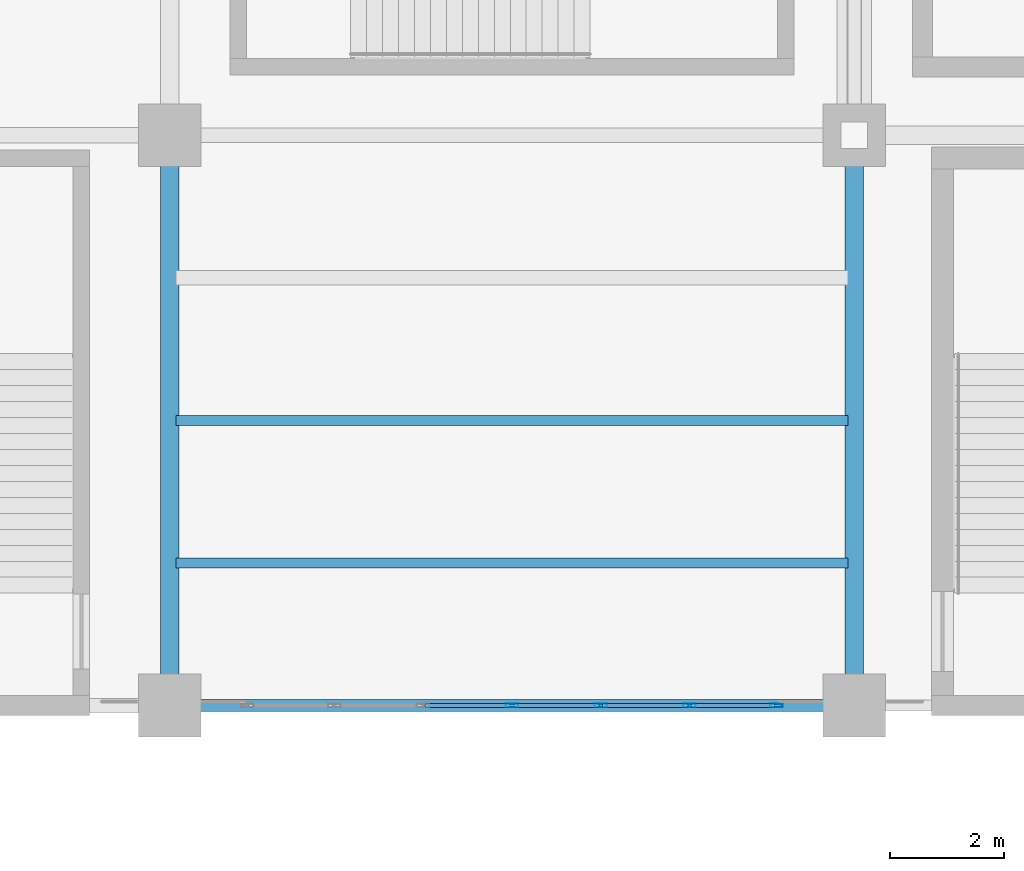
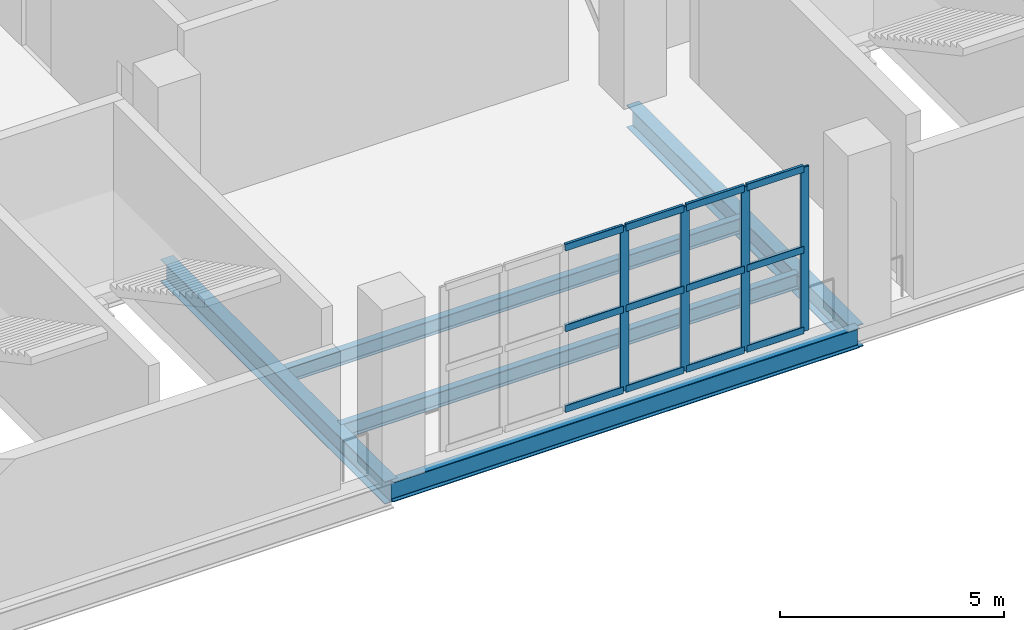
# One storey, part 58 of 136: 16 members, 5 beams, 1 element without a shape of its own.
"""IFC4 building model written with IfcOpenShell, lengths in metres."""

from ifc_helpers import new_model, si_unit, direction, frame, origin, origin_2d, place, context, subcontext, project, spatial, hollow_rectangle, i_section, extrude, material, layer, layer_set, material_profile, profile_set, type_object, element, aggregate, save


model = new_model("IFC4")

# Units and contexts
model_context = context("Model", 3, precision=1e-05, world=origin(), true_north=direction((0.0, 1.0)))
body_context = subcontext(model_context, "Body", "Model", "MODEL_VIEW")
ifc_project = project(units=[si_unit("LENGTHUNIT", "METRE"), si_unit("AREAUNIT", "SQUARE_METRE"), si_unit("VOLUMEUNIT", "CUBIC_METRE"), si_unit("PLANEANGLEUNIT", "RADIAN"), si_unit("MASSUNIT", "GRAM", prefix="KILO")], contexts=[model_context])

# Site, building, storey
site_placement = place(None, origin())
site = spatial("IfcSite", under=ifc_project, at=site_placement, CompositionType="ELEMENT")
building_placement = place(site_placement, origin())
building = spatial("IfcBuilding", under=site, at=building_placement, Name="Brinegate Civic Arena", CompositionType="ELEMENT")
storey_placement = place(building_placement, frame((0.0, 0.0, 5.39990234375)))
storey = spatial("IfcBuildingStorey", under=building, at=storey_placement, Name="L01", CompositionType="ELEMENT", Elevation=5.39990234375)

# Curtain wall, members
ifc_material_1 = material(Name="Marine grade aluminium", Category="aluminium")
ifc_layer = layer(ifc_material_1, 0.199951171875, Name="Marine grade aluminium")
ifc_layer_set = layer_set([ifc_layer], Name="Marine grade aluminium")
curtain_wall_type = type_object("IfcCurtainWallType", Name="CW-BOWL-GLAZED-01", PredefinedType="USERDEFINED", material=ifc_layer_set)
curtain_wall_placement = place(storey_placement, origin())
curtain_wall = element("IfcCurtainWall", 1, at=curtain_wall_placement, inside=storey, type_object=curtain_wall_type, Name="Curtain Wall CWA-073", ObjectType="GLAZED CURTAIN WALL", PredefinedType="USERDEFINED")
ifc_material_profile_1 = material_profile(ifc_material_1, hollow_rectangle(XDim=0.06494140625, YDim=0.219970703125, WallThickness=0.006103515625, InnerFilletRadius=0.00390625, OuterFilletRadius=0.008056640625, at=origin_2d()), Name="MUL65X220")
ifc_profile_set_1 = profile_set([ifc_material_profile_1], Name="Marine grade aluminium")
member_type_1 = type_object("IfcMemberType", Name="CW-MULLION-65X220", PredefinedType="MULLION", material=ifc_profile_set_1)
member_1_placement = place(storey_placement, frame((150.0, 10.0, 0.0), z_axis=(0.0, 0.0, 1.0), x_axis=(0.0, 1.0, 0.0)))
member_1 = element("IfcMember", 2, at=member_1_placement, type_object=member_type_1, Name="CWA-073 mullion 4", PredefinedType="MULLION", context=body_context, shape_type="SweptSolid", body=[
    extrude(hollow_rectangle(XDim=0.06494140625, YDim=0.219970703125, WallThickness=0.006103515625, InnerFilletRadius=0.00390625, OuterFilletRadius=0.008056640625, at=origin_2d()), origin(), (0.0, 0.0, 1.0), 4.47021484375),
])
member_2_placement = place(storey_placement, frame((151.557373046875, 10.0, 0.0), z_axis=(0.0, 0.0, 1.0), x_axis=(0.0, 1.0, 0.0)))
member_2 = element("IfcMember", 3, at=member_2_placement, type_object=member_type_1, Name="CWA-073 mullion 5", PredefinedType="MULLION", context=body_context, shape_type="SweptSolid", body=[
    extrude(hollow_rectangle(XDim=0.06494140625, YDim=0.219970703125, WallThickness=0.006103515625, InnerFilletRadius=0.00390625, OuterFilletRadius=0.008056640625, at=origin_2d()), origin(), (0.0, 0.0, 1.0), 4.47021484375),
])
member_3_placement = place(storey_placement, frame((153.11474609375, 10.0, 0.0), z_axis=(0.0, 0.0, 1.0), x_axis=(0.0, 1.0, 0.0)))
member_3 = element("IfcMember", 4, at=member_3_placement, type_object=member_type_1, Name="CWA-073 mullion 6", PredefinedType="MULLION", context=body_context, shape_type="SweptSolid", body=[
    extrude(hollow_rectangle(XDim=0.06494140625, YDim=0.219970703125, WallThickness=0.006103515625, InnerFilletRadius=0.00390625, OuterFilletRadius=0.008056640625, at=origin_2d()), origin(), (0.0, 0.0, 1.0), 4.47021484375),
])
member_4_placement = place(storey_placement, frame((154.639404296875, 10.0, 0.0), z_axis=(0.0, 0.0, 1.0), x_axis=(0.0, 1.0, 0.0)))
member_4 = element("IfcMember", 5, at=member_4_placement, type_object=member_type_1, Name="CWA-073 mullion 7", PredefinedType="MULLION", context=body_context, shape_type="SweptSolid", body=[
    extrude(hollow_rectangle(XDim=0.06494140625, YDim=0.219970703125, WallThickness=0.006103515625, InnerFilletRadius=0.00390625, OuterFilletRadius=0.008056640625, at=origin_2d()), origin(), (0.0, 0.0, 1.0), 4.47021484375),
])
ifc_material_profile_2 = material_profile(ifc_material_1, hollow_rectangle(XDim=0.074951171875, YDim=0.18994140625, WallThickness=0.006103515625, InnerFilletRadius=0.00390625, OuterFilletRadius=0.008056640625, at=origin_2d()), Name="TRN75X190")
ifc_profile_set_2 = profile_set([ifc_material_profile_2], Name="Marine grade aluminium")
member_type_2 = type_object("IfcMemberType", Name="CW-TRANSOM-75X190", PredefinedType="USERDEFINED", material=ifc_profile_set_2)
member_5_placement = place(storey_placement, frame((148.47509765625, 10.0, 0.03759765625), z_axis=(1.0, 0.0, 0.0), x_axis=(0.0, 1.0, 0.0)))
member_5 = element("IfcMember", 6, at=member_5_placement, type_object=member_type_2, Name="CWA-073 transom 3.1", ObjectType="TRANSOM", PredefinedType="USERDEFINED", context=body_context, shape_type="SweptSolid", body=[
    extrude(hollow_rectangle(XDim=0.074951171875, YDim=0.18994140625, WallThickness=0.006103515625, InnerFilletRadius=0.00390625, OuterFilletRadius=0.008056640625, at=origin_2d()), origin(), (0.0, 0.0, 1.0), 1.492431640625),
])
member_6_placement = place(storey_placement, frame((148.47509765625, 10.0, 2.235107421875), z_axis=(1.0, 0.0, 0.0), x_axis=(0.0, 1.0, 0.0)))
member_6 = element("IfcMember", 7, at=member_6_placement, type_object=member_type_2, Name="CWA-073 transom 3.2", ObjectType="TRANSOM", PredefinedType="USERDEFINED", context=body_context, shape_type="SweptSolid", body=[
    extrude(hollow_rectangle(XDim=0.074951171875, YDim=0.18994140625, WallThickness=0.006103515625, InnerFilletRadius=0.00390625, OuterFilletRadius=0.008056640625, at=origin_2d()), origin(), (0.0, 0.0, 1.0), 1.492431640625),
])
member_7_placement = place(storey_placement, frame((148.47509765625, 10.0, 4.4326171875), z_axis=(1.0, 0.0, 0.0), x_axis=(0.0, 1.0, 0.0)))
member_7 = element("IfcMember", 8, at=member_7_placement, type_object=member_type_2, Name="CWA-073 transom 3.3", ObjectType="TRANSOM", PredefinedType="USERDEFINED", context=body_context, shape_type="SweptSolid", body=[
    extrude(hollow_rectangle(XDim=0.074951171875, YDim=0.18994140625, WallThickness=0.006103515625, InnerFilletRadius=0.00390625, OuterFilletRadius=0.008056640625, at=origin_2d()), origin(), (0.0, 0.0, 1.0), 1.492431640625),
])
member_8_placement = place(storey_placement, frame((150.032470703125, 10.0, 0.03759765625), z_axis=(1.0, 0.0, 0.0), x_axis=(0.0, 1.0, 0.0)))
member_8 = element("IfcMember", 9, at=member_8_placement, type_object=member_type_2, Name="CWA-073 transom 4.1", ObjectType="TRANSOM", PredefinedType="USERDEFINED", context=body_context, shape_type="SweptSolid", body=[
    extrude(hollow_rectangle(XDim=0.074951171875, YDim=0.18994140625, WallThickness=0.006103515625, InnerFilletRadius=0.00390625, OuterFilletRadius=0.008056640625, at=origin_2d()), origin(), (0.0, 0.0, 1.0), 1.492431640625),
])
member_9_placement = place(storey_placement, frame((150.032470703125, 10.0, 2.235107421875), z_axis=(1.0, 0.0, 0.0), x_axis=(0.0, 1.0, 0.0)))
member_9 = element("IfcMember", 10, at=member_9_placement, type_object=member_type_2, Name="CWA-073 transom 4.2", ObjectType="TRANSOM", PredefinedType="USERDEFINED", context=body_context, shape_type="SweptSolid", body=[
    extrude(hollow_rectangle(XDim=0.074951171875, YDim=0.18994140625, WallThickness=0.006103515625, InnerFilletRadius=0.00390625, OuterFilletRadius=0.008056640625, at=origin_2d()), origin(), (0.0, 0.0, 1.0), 1.492431640625),
])
member_10_placement = place(storey_placement, frame((150.032470703125, 10.0, 4.4326171875), z_axis=(1.0, 0.0, 0.0), x_axis=(0.0, 1.0, 0.0)))
member_10 = element("IfcMember", 11, at=member_10_placement, type_object=member_type_2, Name="CWA-073 transom 4.3", ObjectType="TRANSOM", PredefinedType="USERDEFINED", context=body_context, shape_type="SweptSolid", body=[
    extrude(hollow_rectangle(XDim=0.074951171875, YDim=0.18994140625, WallThickness=0.006103515625, InnerFilletRadius=0.00390625, OuterFilletRadius=0.008056640625, at=origin_2d()), origin(), (0.0, 0.0, 1.0), 1.492431640625),
])
member_11_placement = place(storey_placement, frame((151.58984375, 10.0, 0.03759765625), z_axis=(1.0, 0.0, 0.0), x_axis=(0.0, 1.0, 0.0)))
member_11 = element("IfcMember", 12, at=member_11_placement, type_object=member_type_2, Name="CWA-073 transom 5.1", ObjectType="TRANSOM", PredefinedType="USERDEFINED", context=body_context, shape_type="SweptSolid", body=[
    extrude(hollow_rectangle(XDim=0.074951171875, YDim=0.18994140625, WallThickness=0.006103515625, InnerFilletRadius=0.00390625, OuterFilletRadius=0.008056640625, at=origin_2d()), origin(), (0.0, 0.0, 1.0), 1.492431640625),
])
member_12_placement = place(storey_placement, frame((151.58984375, 10.0, 2.235107421875), z_axis=(1.0, 0.0, 0.0), x_axis=(0.0, 1.0, 0.0)))
member_12 = element("IfcMember", 13, at=member_12_placement, type_object=member_type_2, Name="CWA-073 transom 5.2", ObjectType="TRANSOM", PredefinedType="USERDEFINED", context=body_context, shape_type="SweptSolid", body=[
    extrude(hollow_rectangle(XDim=0.074951171875, YDim=0.18994140625, WallThickness=0.006103515625, InnerFilletRadius=0.00390625, OuterFilletRadius=0.008056640625, at=origin_2d()), origin(), (0.0, 0.0, 1.0), 1.492431640625),
])
member_13_placement = place(storey_placement, frame((151.58984375, 10.0, 4.4326171875), z_axis=(1.0, 0.0, 0.0), x_axis=(0.0, 1.0, 0.0)))
member_13 = element("IfcMember", 14, at=member_13_placement, type_object=member_type_2, Name="CWA-073 transom 5.3", ObjectType="TRANSOM", PredefinedType="USERDEFINED", context=body_context, shape_type="SweptSolid", body=[
    extrude(hollow_rectangle(XDim=0.074951171875, YDim=0.18994140625, WallThickness=0.006103515625, InnerFilletRadius=0.00390625, OuterFilletRadius=0.008056640625, at=origin_2d()), origin(), (0.0, 0.0, 1.0), 1.492431640625),
])
member_14_placement = place(storey_placement, frame((153.147216796875, 10.0, 0.03759765625), z_axis=(1.0, 0.0, 0.0), x_axis=(0.0, 1.0, 0.0)))
member_14 = element("IfcMember", 15, at=member_14_placement, type_object=member_type_2, Name="CWA-073 transom 6.1", ObjectType="TRANSOM", PredefinedType="USERDEFINED", context=body_context, shape_type="SweptSolid", body=[
    extrude(hollow_rectangle(XDim=0.074951171875, YDim=0.18994140625, WallThickness=0.006103515625, InnerFilletRadius=0.00390625, OuterFilletRadius=0.008056640625, at=origin_2d()), origin(), (0.0, 0.0, 1.0), 1.459716796875),
])
member_15_placement = place(storey_placement, frame((153.147216796875, 10.0, 2.235107421875), z_axis=(1.0, 0.0, 0.0), x_axis=(0.0, 1.0, 0.0)))
member_15 = element("IfcMember", 16, at=member_15_placement, type_object=member_type_2, Name="CWA-073 transom 6.2", ObjectType="TRANSOM", PredefinedType="USERDEFINED", context=body_context, shape_type="SweptSolid", body=[
    extrude(hollow_rectangle(XDim=0.074951171875, YDim=0.18994140625, WallThickness=0.006103515625, InnerFilletRadius=0.00390625, OuterFilletRadius=0.008056640625, at=origin_2d()), origin(), (0.0, 0.0, 1.0), 1.459716796875),
])
member_16_placement = place(storey_placement, frame((153.147216796875, 10.0, 4.4326171875), z_axis=(1.0, 0.0, 0.0), x_axis=(0.0, 1.0, 0.0)))
member_16 = element("IfcMember", 17, at=member_16_placement, type_object=member_type_2, Name="CWA-073 transom 6.3", ObjectType="TRANSOM", PredefinedType="USERDEFINED", context=body_context, shape_type="SweptSolid", body=[
    extrude(hollow_rectangle(XDim=0.074951171875, YDim=0.18994140625, WallThickness=0.006103515625, InnerFilletRadius=0.00390625, OuterFilletRadius=0.008056640625, at=origin_2d()), origin(), (0.0, 0.0, 1.0), 1.459716796875),
])
aggregate(curtain_wall, [member_1, member_2, member_3, member_4, member_5, member_6, member_7, member_8, member_9, member_10, member_11, member_12, member_13, member_14, member_15, member_16])

# Beams
ifc_material_2 = material(Name="Steel S355", Category="steel")
ifc_material_profile_3 = material_profile(ifc_material_2, i_section(OverallWidth=0.323974609375, OverallDepth=0.611083984375, WebThickness=0.012939453125, FlangeThickness=0.01904296875, FilletRadius=0.01611328125, at=origin_2d()), Name="W610X155")
ifc_profile_set_3 = profile_set([ifc_material_profile_3], Name="Steel S355")
beam_type_1 = type_object("IfcBeamType", Name="GIRDER-W610X155", PredefinedType="BEAM", material=ifc_profile_set_3)
beam_1_placement = place(storey_placement, frame((144.0, 10.0, -0.64501953125), z_axis=(0.0, 1.0, 0.0), x_axis=(-1.0, 0.0, 0.0)))
element("IfcBeam", 18, at=beam_1_placement, inside=storey, type_object=beam_type_1, Name="Floor Girder BM-L01-GY-12-01", PredefinedType="BEAM", context=body_context, shape_type="SweptSolid", body=[
    extrude(i_section(OverallWidth=0.323974609375, OverallDepth=0.611083984375, WebThickness=0.012939453125, FlangeThickness=0.01904296875, FilletRadius=0.01611328125, at=origin_2d()), origin(), (0.0, 0.0, 1.0), 10.0),
])
ifc_material_profile_4 = material_profile(ifc_material_2, i_section(OverallWidth=0.324951171875, OverallDepth=0.615966796875, WebThickness=0.013916015625, FlangeThickness=0.02197265625, FilletRadius=0.01611328125, at=origin_2d()), Name="W610X174")
ifc_profile_set_4 = profile_set([ifc_material_profile_4], Name="Steel S355")
beam_type_2 = type_object("IfcBeamType", Name="GIRDER-W610X174", PredefinedType="BEAM", material=ifc_profile_set_4)
beam_2_placement = place(storey_placement, frame((156.0, 10.0, -0.64794921875), z_axis=(0.0, 1.0, 0.0), x_axis=(-1.0, 0.0, 0.0)))
element("IfcBeam", 19, at=beam_2_placement, inside=storey, type_object=beam_type_2, Name="Floor Girder BM-L01-GY-13-01", PredefinedType="BEAM", context=body_context, shape_type="SweptSolid", body=[
    extrude(i_section(OverallWidth=0.324951171875, OverallDepth=0.615966796875, WebThickness=0.013916015625, FlangeThickness=0.02197265625, FilletRadius=0.01611328125, at=origin_2d()), origin(), (0.0, 0.0, 1.0), 10.0),
])
ifc_material_profile_5 = material_profile(ifc_material_2, i_section(OverallWidth=0.178955078125, OverallDepth=0.409912109375, WebThickness=0.009033203125, FlangeThickness=0.013916015625, FilletRadius=0.013916015625, at=origin_2d()), Name="W410X67")
ifc_profile_set_5 = profile_set([ifc_material_profile_5], Name="Steel S355")
beam_type_3 = type_object("IfcBeamType", Name="JOIST-W410X67", PredefinedType="JOIST", material=ifc_profile_set_5)
beam_3_placement = place(storey_placement, frame((144.10595703125, 15.0, -0.544921875), z_axis=(1.0, 0.0, 0.0), x_axis=(0.0, 1.0, 0.0)))
element("IfcBeam", 20, at=beam_3_placement, inside=storey, type_object=beam_type_3, Name="Secondary Joist BM-L01-JX-12-01-2", PredefinedType="JOIST", context=body_context, shape_type="SweptSolid", body=[
    extrude(i_section(OverallWidth=0.178955078125, OverallDepth=0.409912109375, WebThickness=0.009033203125, FlangeThickness=0.013916015625, FilletRadius=0.013916015625, at=origin_2d()), origin(), (0.0, 0.0, 1.0), 11.7880859375),
])
ifc_material_profile_6 = material_profile(ifc_material_2, i_section(OverallWidth=0.180908203125, OverallDepth=0.4169921875, WebThickness=0.010986328125, FlangeThickness=0.01806640625, FilletRadius=0.013916015625, at=origin_2d()), Name="W410X85")
ifc_profile_set_6 = profile_set([ifc_material_profile_6], Name="Steel S355")
beam_type_4 = type_object("IfcBeamType", Name="JOIST-W410X85", PredefinedType="JOIST", material=ifc_profile_set_6)
beam_4_placement = place(storey_placement, frame((144.10595703125, 12.5, -0.5478515625), z_axis=(1.0, 0.0, 0.0), x_axis=(0.0, 1.0, 0.0)))
element("IfcBeam", 21, at=beam_4_placement, inside=storey, type_object=beam_type_4, Name="Secondary Joist BM-L01-JX-12-01-1", PredefinedType="JOIST", context=body_context, shape_type="SweptSolid", body=[
    extrude(i_section(OverallWidth=0.180908203125, OverallDepth=0.4169921875, WebThickness=0.010986328125, FlangeThickness=0.01806640625, FilletRadius=0.013916015625, at=origin_2d()), origin(), (0.0, 0.0, 1.0), 11.7880859375),
])
ifc_material_profile_7 = material_profile(ifc_material_2, i_section(OverallWidth=0.2119140625, OverallDepth=0.5439453125, WebThickness=0.012939453125, FlangeThickness=0.02099609375, FilletRadius=0.01611328125, at=origin_2d()), Name="W530X123")
ifc_profile_set_7 = profile_set([ifc_material_profile_7], Name="Steel S355")
beam_type_5 = type_object("IfcBeamType", Name="SPANDREL-W530X123", PredefinedType="SPANDREL", material=ifc_profile_set_7)
beam_5_placement = place(storey_placement, frame((144.0, 10.0, -0.61181640625), z_axis=(1.0, 0.0, 0.0), x_axis=(0.0, 1.0, 0.0)))
element("IfcBeam", 22, at=beam_5_placement, inside=storey, type_object=beam_type_5, Name="Floor Girder BM-L01-GX-12-01", PredefinedType="SPANDREL", context=body_context, shape_type="SweptSolid", body=[
    extrude(i_section(OverallWidth=0.2119140625, OverallDepth=0.5439453125, WebThickness=0.012939453125, FlangeThickness=0.02099609375, FilletRadius=0.01611328125, at=origin_2d()), origin(), (0.0, 0.0, 1.0), 12.0),
])

save(model, "model.ifc")
